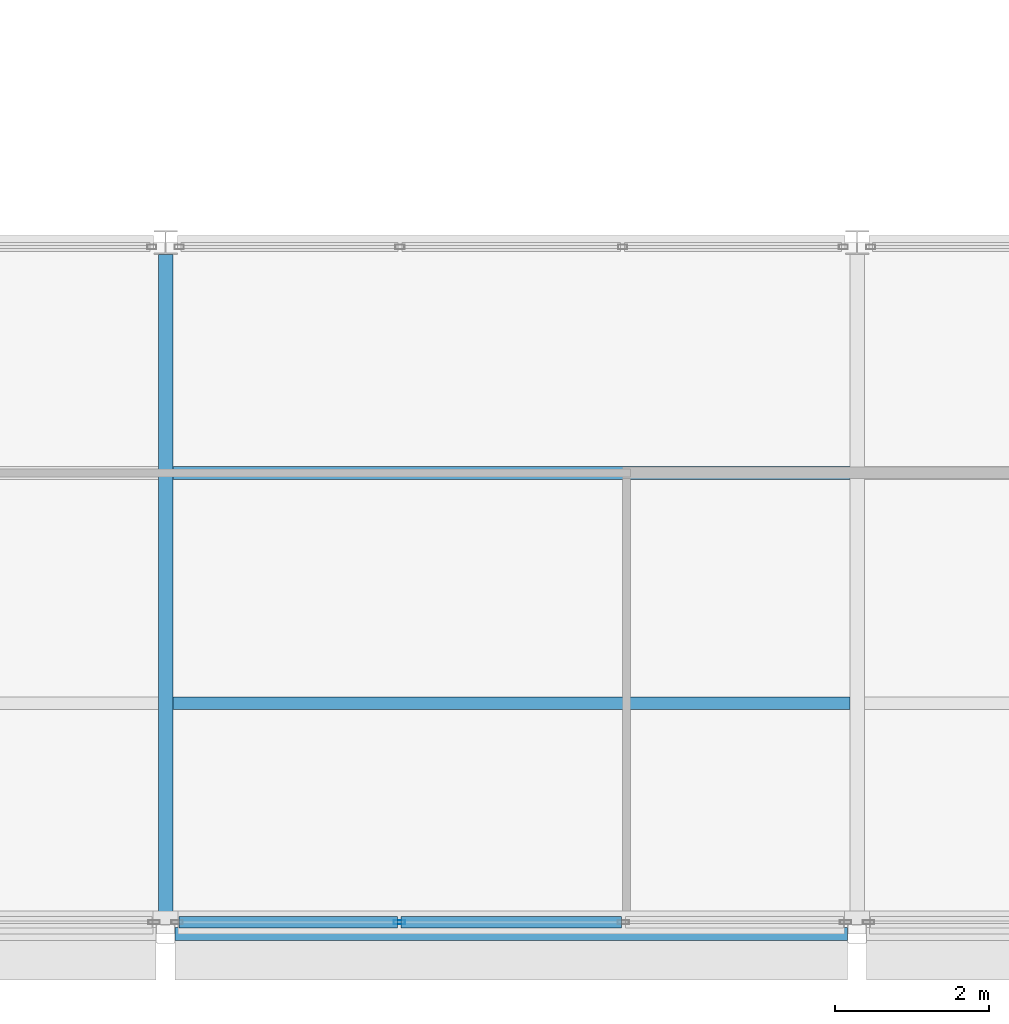
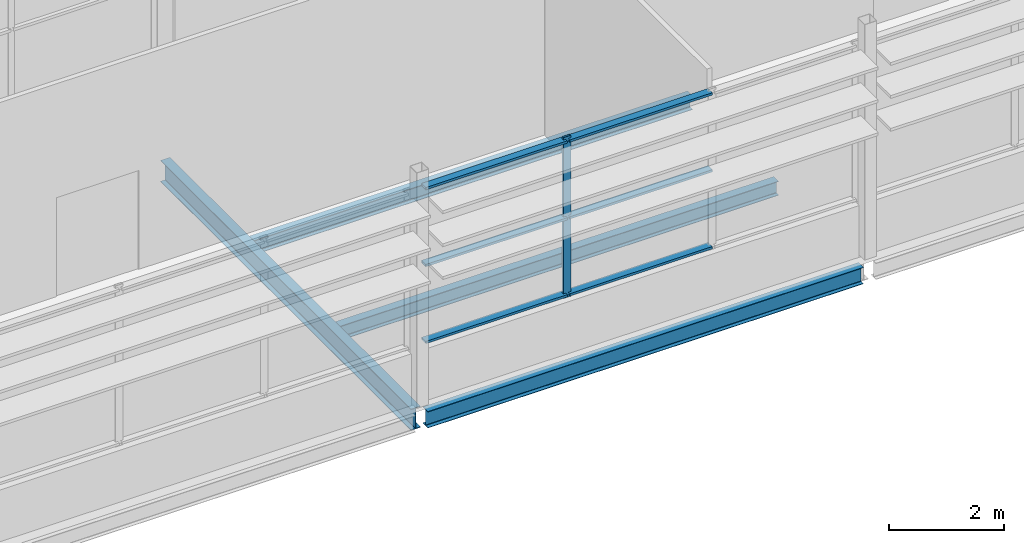
# One storey, part 14 of 61: 7 members, 4 beams, 1 element without a shape of its own.
"""IFC4 building model written with IfcOpenShell, lengths in metres."""

from ifc_helpers import new_model, si_unit, direction, frame, origin, origin_2d, place, context, subcontext, project, spatial, hollow_rectangle, i_section, extrude, material, layer, layer_set, material_profile, profile_set, type_object, element, aggregate, save


model = new_model("IFC4")

# Units and contexts
model_context = context("Model", 3, precision=1e-05, world=origin(), true_north=direction((0.0, 1.0)))
body_context = subcontext(model_context, "Body", "Model", "MODEL_VIEW")
ifc_project = project(units=[si_unit("LENGTHUNIT", "METRE"), si_unit("AREAUNIT", "SQUARE_METRE"), si_unit("VOLUMEUNIT", "CUBIC_METRE"), si_unit("PLANEANGLEUNIT", "RADIAN"), si_unit("MASSUNIT", "GRAM", prefix="KILO")], contexts=[model_context])

# Site, building, storey
site_placement = place(None, origin())
site = spatial("IfcSite", under=ifc_project, at=site_placement, CompositionType="ELEMENT")
building_placement = place(site_placement, origin())
building = spatial("IfcBuilding", under=site, at=building_placement, Name="Shorebreak Coast Museum", CompositionType="ELEMENT")
storey_placement = place(building_placement, frame((0.0, 0.0, 26.0)))
storey = spatial("IfcBuildingStorey", under=building, at=storey_placement, Name="L04", CompositionType="ELEMENT", Elevation=26.0)

# Beams
ifc_material_1 = material(Name="Steel Grade 300", Category="steel")
ifc_material_profile_1 = material_profile(ifc_material_1, i_section(OverallWidth=0.1708984375, OverallDepth=0.35205078125, WebThickness=0.0068359375, FlangeThickness=0.009765625, FilletRadius=0.011474609375, at=origin_2d()), Name="360UB44.7")
ifc_profile_set_1 = profile_set([ifc_material_profile_1], Name="Steel Grade 300")
beam_type_1 = type_object("IfcBeamType", Name="Floor girder east-west 360UB44.7", PredefinedType="BEAM", material=ifc_profile_set_1)
beam_1_placement = place(storey_placement, frame((81.125, 54.0, -0.35107421875), z_axis=(1.0, 0.0, 0.0), x_axis=(0.0, 1.0, 0.0)))
element("IfcBeam", 1, at=beam_1_placement, inside=storey, type_object=beam_type_1, Name="Floor girder east-west L04 10G", PredefinedType="BEAM", context=body_context, shape_type="SweptSolid", body=[
    extrude(i_section(OverallWidth=0.1708984375, OverallDepth=0.35205078125, WebThickness=0.0068359375, FlangeThickness=0.009765625, FilletRadius=0.011474609375, at=origin_2d()), origin(), (0.0, 0.0, 1.0), 8.75),
])
ifc_material_2 = material(Name="Steel Grade 300", Category="steel")
ifc_material_profile_2 = material_profile(ifc_material_2, i_section(OverallWidth=0.18994140625, OverallDepth=0.453857421875, WebThickness=0.008544921875, FlangeThickness=0.0126953125, FilletRadius=0.011474609375, at=origin_2d()), Name="460UB67.1")
ifc_profile_set_2 = profile_set([ifc_material_profile_2], Name="Steel Grade 300")
beam_type_2 = type_object("IfcBeamType", Name="Floor girder north-south 460UB67.1", PredefinedType="BEAM", material=ifc_profile_set_2)
beam_2_placement = place(storey_placement, frame((81.0, 54.125, -0.40185546875), z_axis=(0.0, 1.0, 0.0), x_axis=(-1.0, 0.0, 0.0)))
element("IfcBeam", 2, at=beam_2_placement, inside=storey, type_object=beam_type_2, Name="Floor girder north-south L04 10G", PredefinedType="BEAM", context=body_context, shape_type="SweptSolid", body=[
    extrude(i_section(OverallWidth=0.18994140625, OverallDepth=0.453857421875, WebThickness=0.008544921875, FlangeThickness=0.0126953125, FilletRadius=0.011474609375, at=origin_2d()), origin(), (0.0, 0.0, 1.0), 8.714599609375),
])
ifc_material_3 = material(Name="Steel Grade 300", Category="steel")
ifc_material_profile_3 = material_profile(ifc_material_3, i_section(OverallWidth=0.1650390625, OverallDepth=0.303955078125, WebThickness=0.006103515625, FlangeThickness=0.01025390625, FilletRadius=0.011474609375, at=origin_2d()), Name="310UB40.4")
ifc_profile_set_3 = profile_set([ifc_material_profile_3], Name="Steel Grade 300")
beam_type_3 = type_object("IfcBeamType", Name="Floor joist 310UB40.4", PredefinedType="JOIST", material=ifc_profile_set_3)
for number, where, z_axis, x_axis, name in (
    (3, (81.094970703125, 57.0, -0.326904296875), (1.0, 0.0, 0.0), (0.0, 1.0, 0.0), "Floor joist L04 bay 10G at 3000 mm"),
    (4, (81.094970703125, 60.0, -0.326904296875), (1.0, 0.0, 0.0), (0.0, 1.0, 0.0), "Floor joist L04 bay 10G at 6000 mm"),
):
    element("IfcBeam", number, at=place(storey_placement, frame(where, z_axis=z_axis, x_axis=x_axis)), inside=storey, type_object=beam_type_3, Name=name, PredefinedType="JOIST", context=body_context, shape_type="SweptSolid", body=[
        extrude(i_section(OverallWidth=0.1650390625, OverallDepth=0.303955078125, WebThickness=0.006103515625, FlangeThickness=0.01025390625, FilletRadius=0.011474609375, at=origin_2d()), origin(), (0.0, 0.0, 1.0), 8.81005859375),
    ])

# Curtain wall, members
ifc_material_4 = material(Name="Aluminium", Category="aluminium")
ifc_layer = layer(ifc_material_4, 0.14990234375)
ifc_layer_set = layer_set([ifc_layer], Name="Aluminium")
curtain_wall_type = type_object("IfcCurtainWallType", Name="Storefront curtain wall", PredefinedType="NOTDEFINED", material=ifc_layer_set)
curtain_wall_placement = place(storey_placement, origin())
curtain_wall = element("IfcCurtainWall", 5, at=curtain_wall_placement, inside=storey, type_object=curtain_wall_type, Name="Atrium Hall glazing L04 S 6", PredefinedType="NOTDEFINED")
ifc_material_5 = material(Name="Aluminium", Category="aluminium")
ifc_material_profile_4 = material_profile(ifc_material_5, hollow_rectangle(XDim=0.050048828125, YDim=0.14990234375, WallThickness=0.00390625, at=origin_2d()), Name="AL 150x50 RHS")
ifc_profile_set_4 = profile_set([ifc_material_profile_4], Name="Aluminium")
member_type_1 = type_object("IfcMemberType", Name="Storefront mullion 50 x 150", PredefinedType="MULLION", material=ifc_profile_set_4)
member_1_placement = place(storey_placement, frame((84.041748046875, 54.14990234375, 1.10009765625), z_axis=(0.0, 0.0, 1.0), x_axis=(0.0, 1.0, 0.0)))
member_1 = element("IfcMember", 6, at=member_1_placement, type_object=member_type_1, Name="CW5 mullion 2", PredefinedType="MULLION", context=body_context, shape_type="SweptSolid", body=[
    extrude(hollow_rectangle(XDim=0.050048828125, YDim=0.14990234375, WallThickness=0.00390625, at=origin_2d()), origin(), (0.0, 0.0, 1.0), 3.417724609375),
])
ifc_material_6 = material(Name="Aluminium", Category="aluminium")
ifc_material_profile_5 = material_profile(ifc_material_6, hollow_rectangle(XDim=0.14990234375, YDim=0.050048828125, WallThickness=0.00390625, at=origin_2d()), Name="AL 50x150 RHS")
ifc_profile_set_5 = profile_set([ifc_material_profile_5], Name="Aluminium")
member_type_2 = type_object("IfcMemberType", Name="Storefront transom 150 x 50", PredefinedType="USERDEFINED", material=ifc_profile_set_5)
member_2_placement = place(storey_placement, frame((81.175048828125, 54.14990234375, 1.175048828125), z_axis=(1.0, 0.0, 0.0), x_axis=(0.0, 1.0, 0.0)))
member_2 = element("IfcMember", 7, at=member_2_placement, type_object=member_type_2, Name="CW5 transom 1.1", ObjectType="TRANSOM", PredefinedType="USERDEFINED", context=body_context, shape_type="SweptSolid", body=[
    extrude(hollow_rectangle(XDim=0.14990234375, YDim=0.050048828125, WallThickness=0.00390625, at=origin_2d()), origin(), (0.0, 0.0, 1.0), 2.841552734375),
])
member_3_placement = place(storey_placement, frame((81.175048828125, 54.14990234375, 2.808837890625), z_axis=(1.0, 0.0, 0.0), x_axis=(0.0, 1.0, 0.0)))
member_3 = element("IfcMember", 8, at=member_3_placement, type_object=member_type_2, Name="CW5 transom 1.2", ObjectType="TRANSOM", PredefinedType="USERDEFINED", context=body_context, shape_type="SweptSolid", body=[
    extrude(hollow_rectangle(XDim=0.14990234375, YDim=0.050048828125, WallThickness=0.00390625, at=origin_2d()), origin(), (0.0, 0.0, 1.0), 2.841552734375),
])
member_4_placement = place(storey_placement, frame((81.175048828125, 54.14990234375, 4.44287109375), z_axis=(1.0, 0.0, 0.0), x_axis=(0.0, 1.0, 0.0)))
member_4 = element("IfcMember", 9, at=member_4_placement, type_object=member_type_2, Name="CW5 transom 1.3", ObjectType="TRANSOM", PredefinedType="USERDEFINED", context=body_context, shape_type="SweptSolid", body=[
    extrude(hollow_rectangle(XDim=0.14990234375, YDim=0.050048828125, WallThickness=0.00390625, at=origin_2d()), origin(), (0.0, 0.0, 1.0), 2.841552734375),
])
member_5_placement = place(storey_placement, frame((84.066650390625, 54.14990234375, 1.175048828125), z_axis=(1.0, 0.0, 0.0), x_axis=(0.0, 1.0, 0.0)))
member_5 = element("IfcMember", 10, at=member_5_placement, type_object=member_type_2, Name="CW5 transom 2.1", ObjectType="TRANSOM", PredefinedType="USERDEFINED", context=body_context, shape_type="SweptSolid", body=[
    extrude(hollow_rectangle(XDim=0.14990234375, YDim=0.050048828125, WallThickness=0.00390625, at=origin_2d()), origin(), (0.0, 0.0, 1.0), 2.86669921875),
])
member_6_placement = place(storey_placement, frame((84.066650390625, 54.14990234375, 2.808837890625), z_axis=(1.0, 0.0, 0.0), x_axis=(0.0, 1.0, 0.0)))
member_6 = element("IfcMember", 11, at=member_6_placement, type_object=member_type_2, Name="CW5 transom 2.2", ObjectType="TRANSOM", PredefinedType="USERDEFINED", context=body_context, shape_type="SweptSolid", body=[
    extrude(hollow_rectangle(XDim=0.14990234375, YDim=0.050048828125, WallThickness=0.00390625, at=origin_2d()), origin(), (0.0, 0.0, 1.0), 2.86669921875),
])
member_7_placement = place(storey_placement, frame((84.066650390625, 54.14990234375, 4.44287109375), z_axis=(1.0, 0.0, 0.0), x_axis=(0.0, 1.0, 0.0)))
member_7 = element("IfcMember", 12, at=member_7_placement, type_object=member_type_2, Name="CW5 transom 2.3", ObjectType="TRANSOM", PredefinedType="USERDEFINED", context=body_context, shape_type="SweptSolid", body=[
    extrude(hollow_rectangle(XDim=0.14990234375, YDim=0.050048828125, WallThickness=0.00390625, at=origin_2d()), origin(), (0.0, 0.0, 1.0), 2.86669921875),
])
aggregate(curtain_wall, [member_1, member_2, member_3, member_4, member_5, member_6, member_7])

save(model, "model.ifc")
